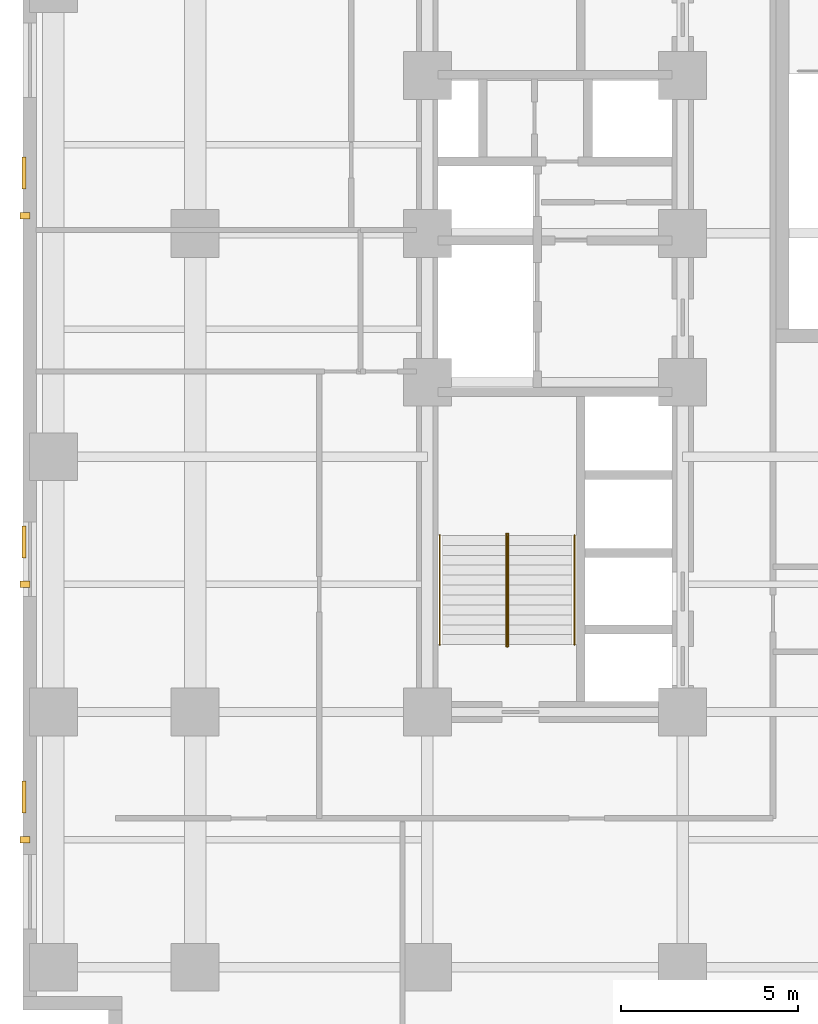
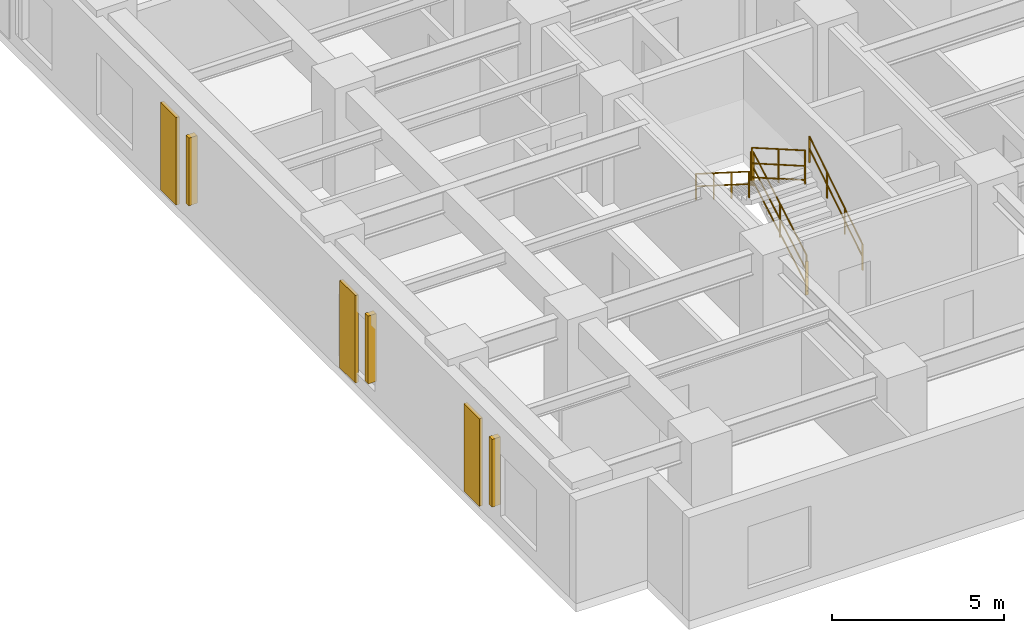
# One storey, part 7 of 10: 6 railings, 3 coverings, 3 shading devices.
"""IFC4 building model written with IfcOpenShell, lengths in metres."""

from ifc_helpers import new_model, entity, si_unit, converted_unit, direction, frame, origin_with_axes, origin_2d_with_axis, place, context, subcontext, project, spatial, rectangle, circle, extrude, material, layer, layer_set, type_object, element, save


model = new_model("IFC4")

# Units and contexts
model_context = context("Model", 3, precision=1e-05, world=origin_with_axes(), true_north=direction((0.0, 1.0)))
body_context = subcontext(model_context, "Body", "Model", "MODEL_VIEW")
ifc_project = project(units=[si_unit("LENGTHUNIT", "METRE"), si_unit("AREAUNIT", "SQUARE_METRE"), si_unit("VOLUMEUNIT", "CUBIC_METRE"), converted_unit("PLANEANGLEUNIT", "DEGREE", entity("IfcPlaneAngleMeasure", 0.017453292519943295), si_unit("PLANEANGLEUNIT", "RADIAN"), dimensions=[0, 0, 0, 0, 0, 0, 0]), si_unit("MASSUNIT", "GRAM", prefix="KILO"), si_unit("THERMODYNAMICTEMPERATUREUNIT", "KELVIN")], contexts=[model_context])

# Site, building, storey
site_placement = place(None, origin_with_axes())
site = spatial("IfcSite", under=ifc_project, at=site_placement, CompositionType="ELEMENT")
building_placement = place(site_placement, origin_with_axes())
building = spatial("IfcBuilding", under=site, at=building_placement, Name="Varnlund Millrace Tower", CompositionType="ELEMENT")
storey_placement = place(building_placement, frame((0.0, 0.0, 28.8), z_axis=(0.0, 0.0, 1.0), x_axis=(1.0, 0.0, 0.0)))
storey = spatial("IfcBuildingStorey", under=building, at=storey_placement, Name="L06", CompositionType="ELEMENT", Elevation=28.8)

# Coverings
ifc_material_1 = material(Name="Precast concrete C50/60", Category="concrete")
ifc_layer = layer(ifc_material_1, 0.11, Name="Precast concrete C50/60")
ifc_layer_set = layer_set([ifc_layer], Name="Precast concrete C50/60")
covering_type = type_object("IfcCoveringType", Name="Type-Cladding-KasotaPier-110", PredefinedType="CLADDING", material=ifc_layer_set)
for number, where, z_axis, x_axis, name in (
    (1, (0.02, 8.4, 0.1), (0.0, 0.0, 1.0), (1.0, 0.0, 0.0), "Type-Cladding-KasotaPier-110"),
    (2, (0.02, 15.6, 0.1), (0.0, 0.0, 1.0), (1.0, 0.0, 0.0), "Type-Cladding-KasotaPier-110"),
    (3, (0.02, 26.0, 0.1), (0.0, 0.0, 1.0), (1.0, 0.0, 0.0), "Type-Cladding-KasotaPier-110"),
):
    element("IfcCovering", number, at=place(storey_placement, frame(where, z_axis=z_axis, x_axis=x_axis)), inside=storey, type_object=covering_type, Name=name, PredefinedType="CLADDING", context=body_context, shape_type="SweptSolid", body=[
        extrude(rectangle(XDim=0.11, YDim=0.9, at=origin_2d_with_axis()), origin_with_axes(), (0.0, 0.0, 1.0), 3.1),
    ])

# Shading devices
ifc_material_2 = material(Name="Architectural bronze fluted spandrel fin", Category="aluminium")
shading_device_type = type_object("IfcShadingDeviceType", Name="Type-Shade-ArtDecoFin", PredefinedType="USERDEFINED", material=ifc_material_2)
for number, where, z_axis, x_axis, name in (
    (4, (0.05, 7.2, 0.6), (0.0, 0.0, 1.0), (1.0, 0.0, 0.0), "Type-Shade-ArtDecoFin"),
    (5, (0.05, 14.4, 0.6), (0.0, 0.0, 1.0), (1.0, 0.0, 0.0), "Type-Shade-ArtDecoFin"),
    (6, (0.05, 24.8, 0.6), (0.0, 0.0, 1.0), (1.0, 0.0, 0.0), "Type-Shade-ArtDecoFin"),
):
    element("IfcShadingDevice", number, at=place(storey_placement, frame(where, z_axis=z_axis, x_axis=x_axis)), inside=storey, type_object=shading_device_type, Name=name, ObjectType="FIN", PredefinedType="USERDEFINED", context=body_context, shape_type="SweptSolid", body=[
        extrude(rectangle(XDim=0.28, YDim=0.18, at=origin_2d_with_axis()), origin_with_axes(), (0.0, 0.0, 1.0), 2.4),
    ])

# Railings
ifc_material_3 = material(Name="Painted steel stair well balustrade guard", Category="steel")
railing_type_1 = type_object("IfcRailingType", Name="Type-StairGuard-1150", PredefinedType="GUARDRAIL", material=ifc_material_3)
railing_1_placement = place(storey_placement, frame((0.0, 0.0, -28.8), z_axis=(0.0, 0.0, 1.0), x_axis=(1.0, 0.0, 0.0)))
element("IfcRailing", 7, at=railing_1_placement, inside=storey, type_object=railing_type_1, Name="Type-StairGuard-1150", PredefinedType="GUARDRAIL", context=body_context, shape_type="SweptSolid", body=[
    extrude(circle(Radius=0.024, at=origin_2d_with_axis()), frame((13.675, 12.7, 30.127273), z_axis=(0.0, 0.866696, 0.498836), x_axis=(-1.0, 0.0, 0.0)), (0.0, 0.0, 1.0), 3.553725),
    extrude(circle(Radius=0.024, at=origin_2d_with_axis()), frame((13.675, 12.7, 29.077273), z_axis=(0.0, 0.866696, 0.498836), x_axis=(-1.0, 0.0, 0.0)), (0.0, 0.0, 1.0), 3.553725),
    extrude(circle(Radius=0.024, at=origin_2d_with_axis()), frame((13.675, 12.7, 29.575273), z_axis=(0.0, 0.866696, 0.498836), x_axis=(-1.0, 0.0, 0.0)), (0.0, 0.0, 1.0), 3.553725),
    extrude(rectangle(XDim=0.04, YDim=0.04, at=origin_2d_with_axis()), frame((13.675, 12.7, 28.937273), z_axis=(0.0, 0.0, 1.0), x_axis=(1.0, 0.0, 0.0)), (0.0, 0.0, 1.0), 1.19),
    extrude(rectangle(XDim=0.04, YDim=0.04, at=origin_2d_with_axis()), frame((13.675, 14.24, 29.823636), z_axis=(0.0, 0.0, 1.0), x_axis=(1.0, 0.0, 0.0)), (0.0, 0.0, 1.0), 1.19),
    extrude(rectangle(XDim=0.04, YDim=0.04, at=origin_2d_with_axis()), frame((13.675, 15.78, 30.71), z_axis=(0.0, 0.0, 1.0), x_axis=(1.0, 0.0, 0.0)), (0.0, 0.0, 1.0), 1.19),
])
railing_2_placement = place(storey_placement, frame((0.0, 0.0, -28.8), z_axis=(0.0, 0.0, 1.0), x_axis=(1.0, 0.0, 0.0)))
element("IfcRailing", 8, at=railing_2_placement, inside=storey, type_object=railing_type_1, Name="Type-StairGuard-1150", PredefinedType="GUARDRAIL", context=body_context, shape_type="SweptSolid", body=[
    extrude(circle(Radius=0.024, at=origin_2d_with_axis()), frame((13.625, 15.83, 31.9), z_axis=(1.0, 0.0, 0.0), x_axis=(0.0, 1.0, 0.0)), (0.0, 0.0, 1.0), 0.05),
    extrude(circle(Radius=0.024, at=origin_2d_with_axis()), frame((13.625, 15.83, 30.85), z_axis=(1.0, 0.0, 0.0), x_axis=(0.0, 1.0, 0.0)), (0.0, 0.0, 1.0), 0.05),
    extrude(circle(Radius=0.024, at=origin_2d_with_axis()), frame((13.625, 15.83, 31.348), z_axis=(1.0, 0.0, 0.0), x_axis=(0.0, 1.0, 0.0)), (0.0, 0.0, 1.0), 0.05),
    extrude(rectangle(XDim=0.04, YDim=0.04, at=origin_2d_with_axis()), frame((13.625, 15.83, 30.71), z_axis=(0.0, 0.0, 1.0), x_axis=(1.0, 0.0, 0.0)), (0.0, 0.0, 1.0), 1.19),
    extrude(rectangle(XDim=0.04, YDim=0.04, at=origin_2d_with_axis()), frame((13.675, 15.83, 30.71), z_axis=(0.0, 0.0, 1.0), x_axis=(1.0, 0.0, 0.0)), (0.0, 0.0, 1.0), 1.19),
])
railing_3_placement = place(storey_placement, frame((0.0, 0.0, -28.8), z_axis=(0.0, 0.0, 1.0), x_axis=(1.0, 0.0, 0.0)))
element("IfcRailing", 9, at=railing_3_placement, inside=storey, type_object=railing_type_1, Name="Type-StairGuard-1150", PredefinedType="GUARDRAIL", context=body_context, shape_type="SweptSolid", body=[
    extrude(circle(Radius=0.024, at=origin_2d_with_axis()), frame((13.625, 15.78, 32.077273), z_axis=(0.0, -0.866696, 0.498836), x_axis=(1.0, 0.0, 0.0)), (0.0, 0.0, 1.0), 3.553725),
    extrude(circle(Radius=0.024, at=origin_2d_with_axis()), frame((13.625, 15.78, 31.027273), z_axis=(0.0, -0.866696, 0.498836), x_axis=(1.0, 0.0, 0.0)), (0.0, 0.0, 1.0), 3.553725),
    extrude(circle(Radius=0.024, at=origin_2d_with_axis()), frame((13.625, 15.78, 31.525273), z_axis=(0.0, -0.866696, 0.498836), x_axis=(1.0, 0.0, 0.0)), (0.0, 0.0, 1.0), 3.553725),
    extrude(rectangle(XDim=0.04, YDim=0.04, at=origin_2d_with_axis()), frame((13.625, 15.78, 30.887273), z_axis=(0.0, 0.0, 1.0), x_axis=(1.0, 0.0, 0.0)), (0.0, 0.0, 1.0), 1.19),
    extrude(rectangle(XDim=0.04, YDim=0.04, at=origin_2d_with_axis()), frame((13.625, 14.24, 31.773637), z_axis=(0.0, 0.0, 1.0), x_axis=(1.0, 0.0, 0.0)), (0.0, 0.0, 1.0), 1.19),
    extrude(rectangle(XDim=0.04, YDim=0.04, at=origin_2d_with_axis()), frame((13.625, 12.7, 32.66), z_axis=(0.0, 0.0, 1.0), x_axis=(1.0, 0.0, 0.0)), (0.0, 0.0, 1.0), 1.19),
])
railing_4_placement = place(storey_placement, frame((0.0, 0.0, -28.8), z_axis=(0.0, 0.0, 1.0), x_axis=(1.0, 0.0, 0.0)))
element("IfcRailing", 10, at=railing_4_placement, inside=storey, type_object=railing_type_1, Name="Type-StairGuard-1150", PredefinedType="GUARDRAIL", context=body_context, shape_type="SweptSolid", body=[
    extrude(circle(Radius=0.024, at=origin_2d_with_axis()), frame((13.625, 12.65, 29.95), z_axis=(1.0, 0.0, 0.0), x_axis=(0.0, 1.0, 0.0)), (0.0, 0.0, 1.0), 0.05),
    extrude(circle(Radius=0.024, at=origin_2d_with_axis()), frame((13.625, 12.65, 28.9), z_axis=(1.0, 0.0, 0.0), x_axis=(0.0, 1.0, 0.0)), (0.0, 0.0, 1.0), 0.05),
    extrude(circle(Radius=0.024, at=origin_2d_with_axis()), frame((13.625, 12.65, 29.398), z_axis=(1.0, 0.0, 0.0), x_axis=(0.0, 1.0, 0.0)), (0.0, 0.0, 1.0), 0.05),
    extrude(rectangle(XDim=0.04, YDim=0.04, at=origin_2d_with_axis()), frame((13.625, 12.65, 28.76), z_axis=(0.0, 0.0, 1.0), x_axis=(1.0, 0.0, 0.0)), (0.0, 0.0, 1.0), 1.19),
    extrude(rectangle(XDim=0.04, YDim=0.04, at=origin_2d_with_axis()), frame((13.675, 12.65, 28.76), z_axis=(0.0, 0.0, 1.0), x_axis=(1.0, 0.0, 0.0)), (0.0, 0.0, 1.0), 1.19),
])
ifc_material_4 = material(Name="Brushed architectural bronze stair handrail", Category="aluminium")
railing_type_2 = type_object("IfcRailingType", Name="Type-StairHandrail-900", PredefinedType="HANDRAIL", material=ifc_material_4)
railing_5_placement = place(storey_placement, frame((0.0, 0.0, -28.8), z_axis=(0.0, 0.0, 1.0), x_axis=(1.0, 0.0, 0.0)))
element("IfcRailing", 11, at=railing_5_placement, inside=storey, type_object=railing_type_2, Name="Type-StairHandrail-900", PredefinedType="HANDRAIL", context=body_context, shape_type="SweptSolid", body=[
    extrude(circle(Radius=0.024, at=origin_2d_with_axis()), frame((15.55, 12.7, 29.856995), z_axis=(0.0, 0.844902, 0.534922), x_axis=(-1.0, 0.0, 0.0)), (0.0, 0.0, 1.0), 3.645394),
    extrude(circle(Radius=0.024, at=origin_2d_with_axis()), frame((15.55, 12.7, 29.417134), z_axis=(0.0, 0.844902, 0.534922), x_axis=(-1.0, 0.0, 0.0)), (0.0, 0.0, 1.0), 3.645394),
    extrude(rectangle(XDim=0.04, YDim=0.04, at=origin_2d_with_axis()), frame((15.55, 12.7, 28.937273), z_axis=(0.0, 0.0, 1.0), x_axis=(1.0, 0.0, 0.0)), (0.0, 0.0, 1.0), 0.919722),
    extrude(rectangle(XDim=0.04, YDim=0.04, at=origin_2d_with_axis()), frame((15.55, 13.726667, 29.587273), z_axis=(0.0, 0.0, 1.0), x_axis=(1.0, 0.0, 0.0)), (0.0, 0.0, 1.0), 0.919722),
    extrude(rectangle(XDim=0.04, YDim=0.04, at=origin_2d_with_axis()), frame((15.55, 14.753333, 30.237273), z_axis=(0.0, 0.0, 1.0), x_axis=(1.0, 0.0, 0.0)), (0.0, 0.0, 1.0), 0.919722),
    extrude(rectangle(XDim=0.04, YDim=0.04, at=origin_2d_with_axis()), frame((15.55, 15.78, 30.887273), z_axis=(0.0, 0.0, 1.0), x_axis=(1.0, 0.0, 0.0)), (0.0, 0.0, 1.0), 0.919722),
])
railing_6_placement = place(storey_placement, frame((0.0, 0.0, -28.8), z_axis=(0.0, 0.0, 1.0), x_axis=(1.0, 0.0, 0.0)))
element("IfcRailing", 12, at=railing_6_placement, inside=storey, type_object=railing_type_2, Name="Type-StairHandrail-900", PredefinedType="HANDRAIL", context=body_context, shape_type="SweptSolid", body=[
    extrude(circle(Radius=0.024, at=origin_2d_with_axis()), frame((11.75, 15.78, 31.806995), z_axis=(0.0, -0.844902, 0.534922), x_axis=(1.0, 0.0, 0.0)), (0.0, 0.0, 1.0), 3.645394),
    extrude(circle(Radius=0.024, at=origin_2d_with_axis()), frame((11.75, 15.78, 31.367134), z_axis=(0.0, -0.844902, 0.534922), x_axis=(1.0, 0.0, 0.0)), (0.0, 0.0, 1.0), 3.645394),
    extrude(rectangle(XDim=0.04, YDim=0.04, at=origin_2d_with_axis()), frame((11.75, 15.78, 30.887273), z_axis=(0.0, 0.0, 1.0), x_axis=(1.0, 0.0, 0.0)), (0.0, 0.0, 1.0), 0.919722),
    extrude(rectangle(XDim=0.04, YDim=0.04, at=origin_2d_with_axis()), frame((11.75, 14.753333, 31.537273), z_axis=(0.0, 0.0, 1.0), x_axis=(1.0, 0.0, 0.0)), (0.0, 0.0, 1.0), 0.919722),
    extrude(rectangle(XDim=0.04, YDim=0.04, at=origin_2d_with_axis()), frame((11.75, 13.726667, 32.187273), z_axis=(0.0, 0.0, 1.0), x_axis=(1.0, 0.0, 0.0)), (0.0, 0.0, 1.0), 0.919722),
    extrude(rectangle(XDim=0.04, YDim=0.04, at=origin_2d_with_axis()), frame((11.75, 12.7, 32.837273), z_axis=(0.0, 0.0, 1.0), x_axis=(1.0, 0.0, 0.0)), (0.0, 0.0, 1.0), 0.919722),
])

save(model, "model.ifc")
